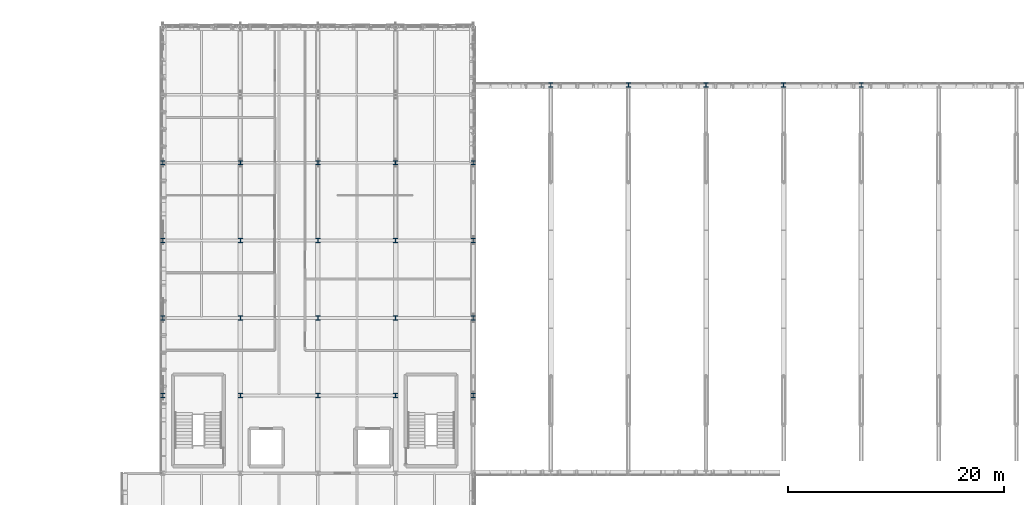
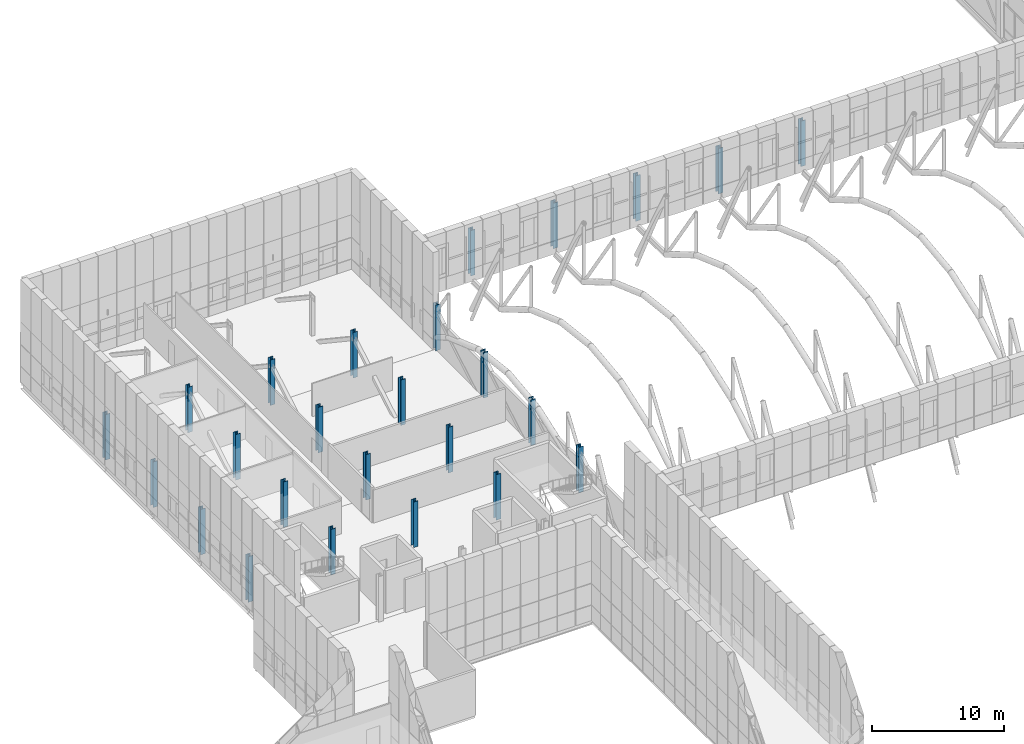
# One storey, part 6 of 144: 25 columns.
"""IFC4 building model written with IfcOpenShell, lengths in metres."""

from ifc_helpers import new_model, si_unit, direction, frame, origin, origin_2d, place, context, subcontext, project, spatial, i_section, extrude, material, material_profile, profile_set, type_object, element, save


model = new_model("IFC4")

# Units and contexts
model_context = context("Model", 3, precision=1e-05, world=origin(), true_north=direction((0.0, 1.0)))
body_context = subcontext(model_context, "Body", "Model", "MODEL_VIEW")
ifc_project = project(units=[si_unit("LENGTHUNIT", "METRE"), si_unit("AREAUNIT", "SQUARE_METRE"), si_unit("VOLUMEUNIT", "CUBIC_METRE"), si_unit("PLANEANGLEUNIT", "RADIAN"), si_unit("MASSUNIT", "GRAM", prefix="KILO")], contexts=[model_context])

# Site, building, storey
site_placement = place(None, origin())
site = spatial("IfcSite", under=ifc_project, at=site_placement, CompositionType="ELEMENT")
building_placement = place(site_placement, origin())
building = spatial("IfcBuilding", under=site, at=building_placement, Name="Yarey Park Central Fire Station", CompositionType="ELEMENT")
storey_placement = place(building_placement, frame((0.0, 0.0, 10.199951171875)))
storey = spatial("IfcBuildingStorey", under=building, at=storey_placement, Name="L03", CompositionType="ELEMENT", Elevation=10.199951171875)

# Columns
ifc_material = material(Name="Steel ASTM A992 Gr. 50", Category="steel")
ifc_material_profile_1 = material_profile(ifc_material, i_section(OverallWidth=0.404052734375, OverallDepth=0.406982421875, WebThickness=0.027099609375, FlangeThickness=0.043701171875, at=origin_2d()), Name="W360x347")
ifc_profile_set_1 = profile_set([ifc_material_profile_1], Name="Steel ASTM A992 Gr. 50")
column_type_1 = type_object("IfcColumnType", Name="STR_COL_W360_EXT", PredefinedType="COLUMN", material=ifc_profile_set_1)
for number, where, z_axis, x_axis, name in (
    (1, (28.800048828125, 86.39990234375, 0.0), (0.0, 0.0, 1.0), (1.0, 0.0, 0.0), "COL_L03_X288_Y864"),
    (2, (36.0, 86.39990234375, 0.0), (0.0, 0.0, 1.0), (1.0, 0.0, 0.0), "COL_L03_X360_Y864"),
    (3, (43.199951171875, 86.39990234375, 0.0), (0.0, 0.0, 1.0), (1.0, 0.0, 0.0), "COL_L03_X432_Y864"),
    (4, (50.39990234375, 86.39990234375, 0.0), (0.0, 0.0, 1.0), (1.0, 0.0, 0.0), "COL_L03_X504_Y864"),
    (5, (57.60009765625, 64.800048828125, 0.0), (0.0, 0.0, 1.0), (1.0, 0.0, 0.0), "COL_L03_X576_Y648"),
    (6, (57.60009765625, 72.0, 0.0), (0.0, 0.0, 1.0), (1.0, 0.0, 0.0), "COL_L03_X576_Y720"),
    (7, (57.60009765625, 79.199951171875, 0.0), (0.0, 0.0, 1.0), (1.0, 0.0, 0.0), "COL_L03_X576_Y792"),
    (8, (57.60009765625, 86.39990234375, 0.0), (0.0, 0.0, 1.0), (1.0, 0.0, 0.0), "COL_L03_X576_Y864"),
    (9, (64.800048828125, 93.60009765625, 0.0), (0.0, 0.0, 1.0), (1.0, 0.0, 0.0), "V2_SCR_POST_N_L03_64"),
    (10, (72.0, 93.60009765625, 0.0), (0.0, 0.0, 1.0), (1.0, 0.0, 0.0), "V2_SCR_POST_N_L03_72"),
    (11, (79.199951171875, 93.60009765625, 0.0), (0.0, 0.0, 1.0), (1.0, 0.0, 0.0), "V2_SCR_POST_N_L03_79"),
    (12, (86.39990234375, 93.60009765625, 0.0), (0.0, 0.0, 1.0), (1.0, 0.0, 0.0), "V2_SCR_POST_N_L03_86"),
    (13, (93.60009765625, 93.60009765625, 0.0), (0.0, 0.0, 1.0), (1.0, 0.0, 0.0), "V2_SCR_POST_N_L03_93"),
):
    element("IfcColumn", number, at=place(storey_placement, frame(where, z_axis=z_axis, x_axis=x_axis)), inside=storey, type_object=column_type_1, Name=name, PredefinedType="COLUMN", context=body_context, shape_type="SweptSolid", body=[
        extrude(i_section(OverallWidth=0.404052734375, OverallDepth=0.406982421875, WebThickness=0.027099609375, FlangeThickness=0.043701171875, at=origin_2d()), origin(), (0.0, 0.0, 1.0), 4.199951171875),
    ])
ifc_material_profile_2 = material_profile(ifc_material, i_section(OverallWidth=0.404052734375, OverallDepth=0.406982421875, WebThickness=0.027099609375, FlangeThickness=0.043701171875, at=origin_2d()), Name="W360x347")
ifc_profile_set_2 = profile_set([ifc_material_profile_2], Name="Steel ASTM A992 Gr. 50")
column_type_2 = type_object("IfcColumnType", Name="STR_COL_W360_INT", PredefinedType="COLUMN", material=ifc_profile_set_2)
for number, where, z_axis, x_axis, name in (
    (14, (28.800048828125, 64.800048828125, 0.0), (0.0, 0.0, 1.0), (1.0, 0.0, 0.0), "COL_L03_X288_Y648"),
    (15, (28.800048828125, 72.0, 0.0), (0.0, 0.0, 1.0), (1.0, 0.0, 0.0), "COL_L03_X288_Y720"),
    (16, (28.800048828125, 79.199951171875, 0.0), (0.0, 0.0, 1.0), (1.0, 0.0, 0.0), "COL_L03_X288_Y792"),
    (17, (36.0, 64.800048828125, 0.0), (0.0, 0.0, 1.0), (1.0, 0.0, 0.0), "COL_L03_X360_Y648"),
    (18, (36.0, 72.0, 0.0), (0.0, 0.0, 1.0), (1.0, 0.0, 0.0), "COL_L03_X360_Y720"),
    (19, (36.0, 79.199951171875, 0.0), (0.0, 0.0, 1.0), (1.0, 0.0, 0.0), "COL_L03_X360_Y792"),
    (20, (43.199951171875, 64.800048828125, 0.0), (0.0, 0.0, 1.0), (1.0, 0.0, 0.0), "COL_L03_X432_Y648"),
    (21, (43.199951171875, 72.0, 0.0), (0.0, 0.0, 1.0), (1.0, 0.0, 0.0), "COL_L03_X432_Y720"),
    (22, (43.199951171875, 79.199951171875, 0.0), (0.0, 0.0, 1.0), (1.0, 0.0, 0.0), "COL_L03_X432_Y792"),
    (23, (50.39990234375, 64.800048828125, 0.0), (0.0, 0.0, 1.0), (1.0, 0.0, 0.0), "COL_L03_X504_Y648"),
    (24, (50.39990234375, 72.0, 0.0), (0.0, 0.0, 1.0), (1.0, 0.0, 0.0), "COL_L03_X504_Y720"),
    (25, (50.39990234375, 79.199951171875, 0.0), (0.0, 0.0, 1.0), (1.0, 0.0, 0.0), "COL_L03_X504_Y792"),
):
    element("IfcColumn", number, at=place(storey_placement, frame(where, z_axis=z_axis, x_axis=x_axis)), inside=storey, type_object=column_type_2, Name=name, PredefinedType="COLUMN", context=body_context, shape_type="SweptSolid", body=[
        extrude(i_section(OverallWidth=0.404052734375, OverallDepth=0.406982421875, WebThickness=0.027099609375, FlangeThickness=0.043701171875, at=origin_2d()), origin(), (0.0, 0.0, 1.0), 4.199951171875),
    ])

save(model, "model.ifc")
